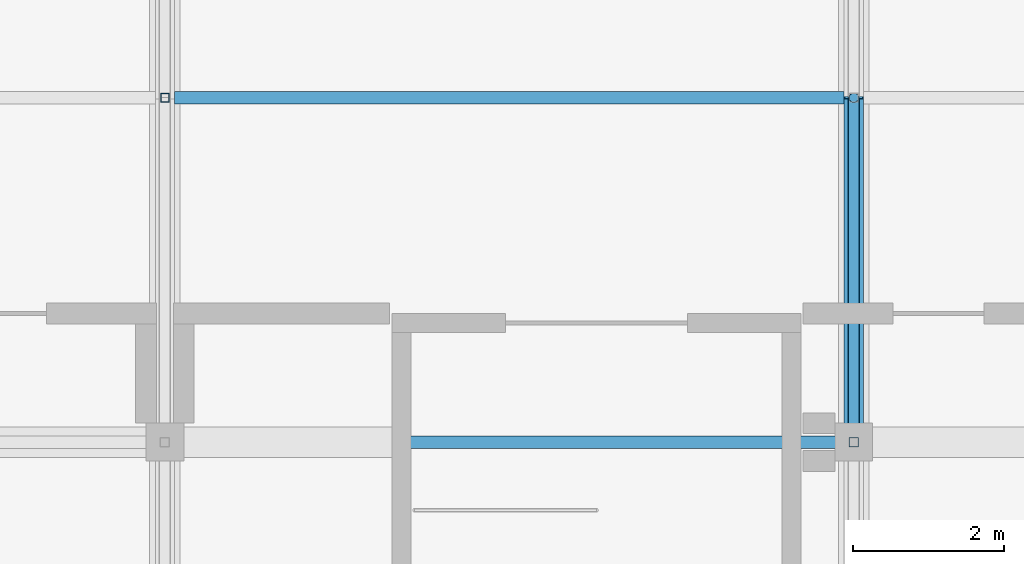
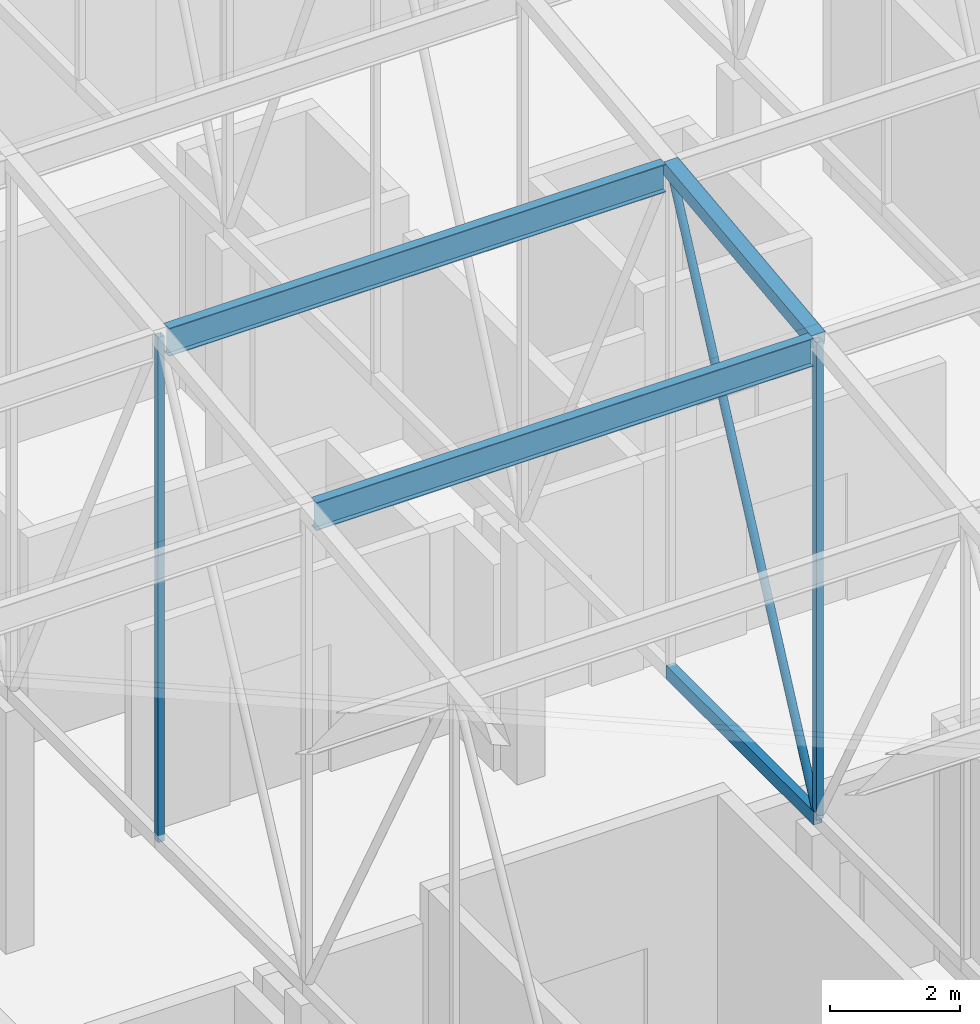
# One storey, part 122 of 500: 7 members.
"""IFC4 building model written with IfcOpenShell, lengths in metres."""

from ifc_helpers import new_model, si_unit, direction, frame, origin, origin_2d, place, context, subcontext, project, spatial, hollow_rectangle, hollow_circle, i_section, extrude, material, material_profile, profile_set, type_object, element, save


model = new_model("IFC4")

# Units and contexts
model_context = context("Model", 3, precision=1e-05, world=origin(), true_north=direction((0.0, 1.0)))
body_context = subcontext(model_context, "Body", "Model", "MODEL_VIEW")
ifc_project = project(units=[si_unit("LENGTHUNIT", "METRE"), si_unit("AREAUNIT", "SQUARE_METRE"), si_unit("VOLUMEUNIT", "CUBIC_METRE"), si_unit("PLANEANGLEUNIT", "RADIAN"), si_unit("MASSUNIT", "GRAM", prefix="KILO")], contexts=[model_context])

# Site, building, storey
site_placement = place(None, origin())
site = spatial("IfcSite", under=ifc_project, at=site_placement, CompositionType="ELEMENT")
building_placement = place(site_placement, origin())
building = spatial("IfcBuilding", under=site, at=building_placement, Name="Shirokan Park Arena", CompositionType="ELEMENT")
storey_placement = place(building_placement, frame((0.0, 0.0, 29.1201171875)))
storey = spatial("IfcBuildingStorey", under=building, at=storey_placement, Name="L06", CompositionType="ELEMENT", Elevation=29.1201171875)

# Members
ifc_material_1 = material(Name="Steel ASTM A500 Grade C", Category="steel")
ifc_material_profile_1 = material_profile(ifc_material_1, hollow_rectangle(XDim=0.152099609375, YDim=0.25390625, WallThickness=0.009521484375, at=origin_2d()), Name="HSS254X152.4X9.5")
ifc_profile_set_1 = profile_set([ifc_material_profile_1], Name="Steel ASTM A500 Grade C")
member_type_1 = type_object("IfcMemberType", Name="Bottom chord HSS254X152.4X9.5", PredefinedType="CHORD", material=ifc_profile_set_1)
member_1_placement = place(storey_placement, frame((118.300048828125, 9.10009765625, 4.677001953125), z_axis=(0.0, 1.0, 0.0), x_axis=(-1.0, 0.0, 0.0)))
element("IfcMember", 1, at=member_1_placement, inside=storey, type_object=member_type_1, Name="Truss T14 bottom chord 5", PredefinedType="CHORD", context=body_context, shape_type="SweptSolid", body=[
    extrude(hollow_rectangle(XDim=0.152099609375, YDim=0.25390625, WallThickness=0.009521484375, at=origin_2d()), origin(), (0.0, 0.0, 1.0), 4.5498046875),
])
ifc_material_2 = material(Name="Steel ASTM A992", Category="steel")
ifc_material_profile_2 = material_profile(ifc_material_2, i_section(OverallWidth=0.166015625, OverallDepth=0.528076171875, WebThickness=0.009765625, FlangeThickness=0.013671875, at=origin_2d()), Name="W530X74")
ifc_profile_set_2 = profile_set([ifc_material_profile_2], Name="Steel ASTM A992")
member_type_2 = type_object("IfcMemberType", Name="Purlin W530X74", PredefinedType="PURLIN", material=ifc_profile_set_2)
for number, where, z_axis, x_axis, name in (
    (2, (109.326904296875, 9.10009765625, 13.52587890625), (1.0, 0.0, 0.0), (0.0, 1.0, 0.0), "Purlin 5 bay 13"),
    (3, (109.326904296875, 13.64990234375, 14.0458984375), (1.0, 0.0, 0.0), (0.0, 1.0, 0.0), "Purlin 6 bay 13"),
):
    element("IfcMember", number, at=place(storey_placement, frame(where, z_axis=z_axis, x_axis=x_axis)), inside=storey, type_object=member_type_2, Name=name, PredefinedType="PURLIN", context=body_context, shape_type="SweptSolid", body=[
        extrude(i_section(OverallWidth=0.166015625, OverallDepth=0.528076171875, WebThickness=0.009765625, FlangeThickness=0.013671875, at=origin_2d()), origin(), (0.0, 0.0, 1.0), 8.84619140625),
    ])
ifc_material_profile_3 = material_profile(ifc_material_1, hollow_rectangle(XDim=0.25390625, YDim=0.25390625, WallThickness=0.009521484375, at=origin_2d()), Name="HSS254X254X9.5")
ifc_profile_set_3 = profile_set([ifc_material_profile_3], Name="Steel ASTM A500 Grade C")
member_type_3 = type_object("IfcMemberType", Name="Top chord HSS254X254X9.5", PredefinedType="CHORD", material=ifc_profile_set_3)
member_2_placement = place(storey_placement, frame((118.300048828125, 9.10009765625, 13.662841796875), z_axis=(0.0, 0.993531641592, 0.11355561261), x_axis=(-1.0, 0.0, 0.0)))
element("IfcMember", 4, at=member_2_placement, inside=storey, type_object=member_type_3, Name="Truss T14 top chord 5", PredefinedType="CHORD", context=body_context, shape_type="SweptSolid", body=[
    extrude(hollow_rectangle(XDim=0.25390625, YDim=0.25390625, WallThickness=0.009521484375, at=origin_2d()), origin(), (0.0, 0.0, 1.0), 4.579345703125),
])
ifc_material_profile_4 = material_profile(ifc_material_1, hollow_circle(Radius=0.070556640625, WallThickness=0.006591796875, at=origin_2d()), Name="HSS141.3X6.6")
ifc_profile_set_4 = profile_set([ifc_material_profile_4], Name="Steel ASTM A500 Grade C")
member_type_4 = type_object("IfcMemberType", Name="Truss diagonal HSS141.3X6.6", PredefinedType="BRACE", material=ifc_profile_set_4)
member_3_placement = place(storey_placement, frame((118.300048828125, 9.10009765625, 4.677001953125), z_axis=(0.0, 0.431727628527, 0.90200402148), x_axis=(-1.0, 0.0, 0.0)))
element("IfcMember", 5, at=member_3_placement, inside=storey, type_object=member_type_4, Name="Truss T14 diagonal 5", PredefinedType="BRACE", context=body_context, shape_type="SweptSolid", body=[
    extrude(hollow_circle(Radius=0.070556640625, WallThickness=0.006591796875, at=origin_2d()), origin(), (0.0, 0.0, 1.0), 10.53857421875),
])
ifc_material_profile_5 = material_profile(ifc_material_1, hollow_rectangle(XDim=0.114013671875, YDim=0.114013671875, WallThickness=0.00634765625, at=origin_2d()), Name="HSS114.3X114.3X6.4")
ifc_profile_set_5 = profile_set([ifc_material_profile_5], Name="Steel ASTM A500 Grade C")
member_type_5 = type_object("IfcMemberType", Name="Truss post HSS114.3X114.3X6.4", PredefinedType="POST", material=ifc_profile_set_5)
member_4_placement = place(storey_placement, frame((109.199951171875, 13.64990234375, 4.677001953125), z_axis=(0.0, 0.0, 1.0), x_axis=(1.0, 0.0, 0.0)))
element("IfcMember", 6, at=member_4_placement, inside=storey, type_object=member_type_5, Name="Truss T13 post 6", PredefinedType="POST", context=body_context, shape_type="SweptSolid", body=[
    extrude(hollow_rectangle(XDim=0.114013671875, YDim=0.114013671875, WallThickness=0.00634765625, at=origin_2d()), origin(), (0.0, 0.0, 1.0), 9.505859375),
])
ifc_material_profile_6 = material_profile(ifc_material_1, hollow_rectangle(XDim=0.126953125, YDim=0.126953125, WallThickness=0.008056640625, at=origin_2d()), Name="HSS127X127X7.9")
ifc_profile_set_6 = profile_set([ifc_material_profile_6], Name="Steel ASTM A500 Grade C")
member_type_6 = type_object("IfcMemberType", Name="Truss post HSS127X127X7.9", PredefinedType="POST", material=ifc_profile_set_6)
member_5_placement = place(storey_placement, frame((118.300048828125, 9.10009765625, 4.677001953125), z_axis=(0.0, 0.0, 1.0), x_axis=(1.0, 0.0, 0.0)))
element("IfcMember", 7, at=member_5_placement, inside=storey, type_object=member_type_6, Name="Truss T14 post 5", PredefinedType="POST", context=body_context, shape_type="SweptSolid", body=[
    extrude(hollow_rectangle(XDim=0.126953125, YDim=0.126953125, WallThickness=0.008056640625, at=origin_2d()), origin(), (0.0, 0.0, 1.0), 8.98583984375),
])

save(model, "model.ifc")
